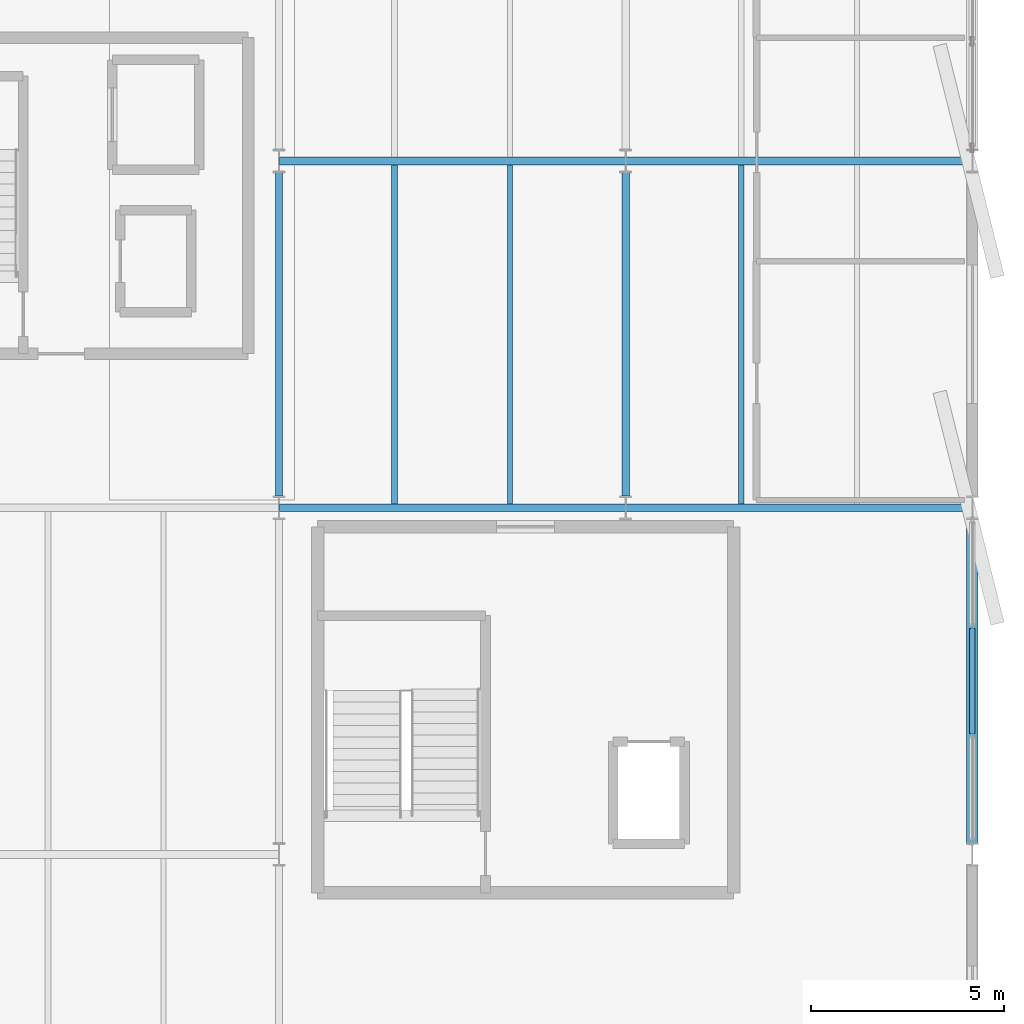
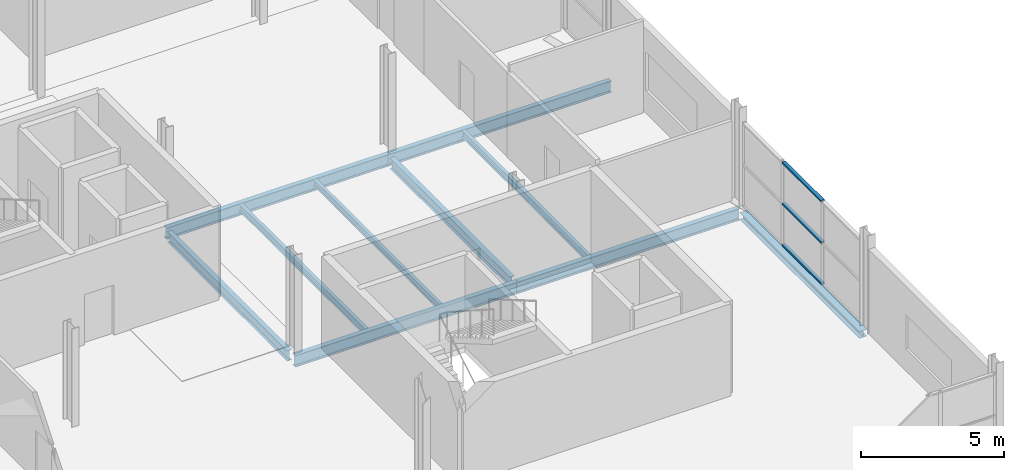
# One storey, part 85 of 135: 10 beams, 3 members, 1 element without a shape of its own.
"""IFC4 building model written with IfcOpenShell, lengths in metres."""

import ifcopenshell
import ifcopenshell.guid

model = None  # the IFC model being written
_history = None  # IfcOwnerHistory: only IFC2X3 demands one
_inside = {}  # id of a spatial element -> (the spatial element, [elements in it])
_under = {}  # id of a project, library or spatial element -> (it, [spatial elements below it])
_declared = {}  # id of a project -> (the project, [libraries it declares])
_typed = {}  # id of a type object -> (the type object, [elements of that type])
_made_of = {}  # id of a material, layer set ... -> (it, [elements and type objects made of it])


def new_model(schema):
    """Start an empty IFC model of exactly this schema.

    Asked for "IFC4X3", IfcOpenShell would pick the latest addendum, in which some entities
    have other attributes; the version numbers below select the first issue.
    IFC2X3 requires an IfcOwnerHistory on every rooted entity: one is made here for all.
    """
    global model, _history
    if schema == "IFC4X3":
        model = ifcopenshell.file(schema_version=(4, 3, 0, 0))
    else:
        model = ifcopenshell.file(schema=schema)
    _inside.clear()
    _under.clear()
    _declared.clear()
    _typed.clear()
    _made_of.clear()
    _history = None
    if model.schema == "IFC2X3":
        org = make("IfcOrganization", Name="unknown")
        user = make(
            "IfcPersonAndOrganization",
            ThePerson=make("IfcPerson", FamilyName="unknown"),
            TheOrganization=org,
        )
        app = make(
            "IfcApplication",
            ApplicationDeveloper=org,
            Version="unknown",
            ApplicationFullName="unknown",
            ApplicationIdentifier="unknown",
        )
        _history = make(
            "IfcOwnerHistory",
            OwningUser=user,
            OwningApplication=app,
            ChangeAction="ADDED",
            CreationDate=0,
        )
    return model


def make(cls, **values):
    """One entity of the class cls with the attributes given. An attribute that is None is left unset."""
    return model.create_entity(
        cls, **{name: value for name, value in values.items() if value is not None}
    )


def rooted(cls, **values):
    """An entity with a GlobalId (a new one), such as an element, a storey or a relation."""
    return make(cls, GlobalId=ifcopenshell.guid.new(), OwnerHistory=_history, **values)


def si_unit(unit_type, name, prefix=None):
    """IfcSIUnit, for example si_unit("LENGTHUNIT", "METRE", prefix="MILLI")."""
    return make("IfcSIUnit", UnitType=unit_type, Prefix=prefix, Name=name)


def assignment(units):
    """IfcUnitAssignment: the units of a project."""
    return None if units is None else make("IfcUnitAssignment", Units=units)


def point(xyz):
    """IfcCartesianPoint."""
    return None if xyz is None else make("IfcCartesianPoint", Coordinates=xyz)


def direction(xyz):
    """IfcDirection."""
    return None if xyz is None else make("IfcDirection", DirectionRatios=xyz)


def frame(location, z_axis=None, x_axis=None):
    """IfcAxis2Placement3D, a coordinate frame: its origin and axes. An axis left out is left unset."""
    return make(
        "IfcAxis2Placement3D",
        Location=point(location),
        Axis=direction(z_axis),
        RefDirection=direction(x_axis),
    )


def frame_2d(location, x_axis=None):
    """IfcAxis2Placement2D, a coordinate frame in the plane: its origin and x axis."""
    return make(
        "IfcAxis2Placement2D", Location=point(location), RefDirection=direction(x_axis)
    )


def origin():
    """The frame at (0, 0, 0) with its axes left unset."""
    return frame((0.0, 0.0, 0.0))


def origin_2d():
    """The frame at (0, 0) in the plane with its x axis left unset."""
    return frame_2d((0.0, 0.0))


def place(relative_to, where):
    """IfcLocalPlacement: puts the frame where relative to a parent placement (None: the world)."""
    return make(
        "IfcLocalPlacement", PlacementRelTo=relative_to, RelativePlacement=where
    )


def context(
    kind, dimensions, precision=None, world=None, true_north=None, identifier=None
):
    """IfcGeometricRepresentationContext, for example the 3D "Model" context."""
    return make(
        "IfcGeometricRepresentationContext",
        ContextIdentifier=identifier,
        ContextType=kind,
        CoordinateSpaceDimension=dimensions,
        Precision=precision,
        WorldCoordinateSystem=world,
        TrueNorth=true_north,
    )


def subcontext(parent, identifier, kind, view, scale=None):
    """IfcGeometricRepresentationSubContext, for example "Body" below "Model"."""
    return make(
        "IfcGeometricRepresentationSubContext",
        ContextIdentifier=identifier,
        ContextType=kind,
        ParentContext=parent,
        TargetScale=scale,
        TargetView=view,
    )


def project(units=None, contexts=None):
    """IfcProject with its units and contexts."""
    return rooted(
        "IfcProject",
        Name="project",
        RepresentationContexts=contexts,
        UnitsInContext=assignment(units),
    )


def spatial(cls, under=None, at=None, **own):
    """A site, building, storey or space (cls), placed at a placement, below another one or the project."""
    s = rooted(cls, ObjectPlacement=at, **own)
    if under is not None:
        _under.setdefault(under.id(), (under, []))[1].append(s)
    return s


def profile(cls, at=None, kind="AREA", **sizes):
    """A parametric profile (cls). Its sizes go by their IFC names, for example OverallWidth=200.0."""
    return make(cls, ProfileType=kind, Position=at, **sizes)


def hollow_rectangle(**sizes):
    """IfcRectangleHollowProfileDef."""
    return profile("IfcRectangleHollowProfileDef", **sizes)


def i_section(**sizes):
    """IfcIShapeProfileDef."""
    return profile("IfcIShapeProfileDef", **sizes)


def extrude(swept, where, along, depth):
    """IfcExtrudedAreaSolid: the profile swept, set in the frame where, extruded along a direction by depth."""
    return make(
        "IfcExtrudedAreaSolid",
        SweptArea=swept,
        Position=where,
        ExtrudedDirection=direction(along),
        Depth=depth,
    )


def shape(context_of_items, identifier, shape_type, items):
    """IfcShapeRepresentation: the items that make up one representation, for example the "Body"."""
    return make(
        "IfcShapeRepresentation",
        ContextOfItems=context_of_items,
        RepresentationIdentifier=identifier,
        RepresentationType=shape_type,
        Items=items,
    )


def material(Name=None, Category=None):
    """IfcMaterial."""
    return make("IfcMaterial", Name=Name, Category=Category)


def layer(
    of_material, thickness, ventilated=None, Name=None, Category=None, Priority=None
):
    """IfcMaterialLayer: one layer of a wall or slab, of a material (None: an air gap)."""
    return make(
        "IfcMaterialLayer",
        Material=of_material,
        LayerThickness=thickness,
        IsVentilated=ventilated,
        Name=Name,
        Category=Category,
        Priority=Priority,
    )


def layer_set(layers, Name=None):
    """IfcMaterialLayerSet."""
    return make("IfcMaterialLayerSet", MaterialLayers=layers, LayerSetName=Name)


def material_profile(
    of_material, cross_section, Name=None, Category=None, Priority=None
):
    """IfcMaterialProfile: a cross section and its material."""
    return make(
        "IfcMaterialProfile",
        Name=Name,
        Material=of_material,
        Profile=cross_section,
        Priority=Priority,
        Category=Category,
    )


def profile_set(profiles, Name=None, composite=None):
    """IfcMaterialProfileSet."""
    return make(
        "IfcMaterialProfileSet",
        Name=Name,
        MaterialProfiles=profiles,
        CompositeProfile=composite,
    )


def made_of(thing, what):
    """Note that an element or type object is made of a material, layer set ...; save() writes the relation."""
    if what is not None:
        _made_of.setdefault(what.id(), (what, []))[1].append(thing)
    return thing


def type_object(cls, material=None, **own):
    """A type object (cls), such as IfcWallType, which elements share."""
    return made_of(rooted(cls, **own), material)


def element(
    cls,
    number,
    at=None,
    inside=None,
    cuts=None,
    type_object=None,
    material=None,
    context=None,
    identifier="Body",
    shape_type=None,
    held_by="IfcProductDefinitionShape",
    body=None,
    shapes=None,
    **own,
):
    """One element of the class cls, such as IfcWall. Its Tag is "e" and its number.

    at: its placement. inside: the storey or other place that contains it. cuts: it is an
    opening in that element (IfcRelVoidsElement). A single representation is given by context,
    identifier, shape_type and body (its items); several are given by shapes. held_by: the class
    of the entity that holds the representations. save() writes the other relations.
    """
    e = rooted(cls, Tag="e%d" % number, ObjectPlacement=at, **own)
    if body is not None:
        shapes = [shape(context, identifier, shape_type, body)]
    if shapes is not None:
        e.Representation = make(held_by, Representations=shapes)
    if inside is not None:
        _inside.setdefault(inside.id(), (inside, []))[1].append(e)
    if cuts is not None:
        rooted(
            "IfcRelVoidsElement", RelatingBuildingElement=cuts, RelatedOpeningElement=e
        )
    if type_object is not None:
        _typed.setdefault(type_object.id(), (type_object, []))[1].append(e)
    return made_of(e, material)


def aggregate(whole, parts):
    """IfcRelAggregates: a whole, such as a stair, and the parts it consists of."""
    return rooted("IfcRelAggregates", RelatingObject=whole, RelatedObjects=parts)


def save(model, path):
    """Write the relations noted so far, then the file.

    IfcRelAggregates (storeys below a building ...), IfcRelContainedInSpatialStructure (elements
    in a storey), IfcRelDefinesByType, IfcRelAssociatesMaterial and IfcRelDeclares: one each for
    every whole, place, type object, material and project.
    """
    for whole, parts in _under.values():
        aggregate(whole, parts)
    for where, things in _inside.values():
        rooted(
            "IfcRelContainedInSpatialStructure",
            RelatedElements=things,
            RelatingStructure=where,
        )
    for kind, things in _typed.values():
        rooted("IfcRelDefinesByType", RelatedObjects=things, RelatingType=kind)
    for what, things in _made_of.values():
        rooted("IfcRelAssociatesMaterial", RelatedObjects=things, RelatingMaterial=what)
    for by, libraries in _declared.values():
        rooted("IfcRelDeclares", RelatingContext=by, RelatedDefinitions=libraries)
    model.write(path)


model = new_model("IFC4")

# Units and contexts
model_context = context("Model", 3, precision=1e-05, world=origin(), true_north=direction((0.0, 1.0)))
body_context = subcontext(model_context, "Body", "Model", "MODEL_VIEW")
ifc_project = project(units=[si_unit("LENGTHUNIT", "METRE"), si_unit("AREAUNIT", "SQUARE_METRE"), si_unit("VOLUMEUNIT", "CUBIC_METRE"), si_unit("PLANEANGLEUNIT", "RADIAN"), si_unit("MASSUNIT", "GRAM", prefix="KILO")], contexts=[model_context])

# Site, building, storey
site_placement = place(None, origin())
site = spatial("IfcSite", under=ifc_project, at=site_placement, CompositionType="ELEMENT")
building_placement = place(site_placement, origin())
building = spatial("IfcBuilding", under=site, at=building_placement, Name="Deido Ridge Mobility Hub", CompositionType="ELEMENT")
storey_placement = place(building_placement, frame((0.0, 0.0, 4.199951171875)))
storey = spatial("IfcBuildingStorey", under=building, at=storey_placement, Name="L01", CompositionType="ELEMENT", Elevation=4.199951171875)

# Beams
ifc_material_1 = material(Name="Steel S355J2 EN 10025-2", Category="steel")
ifc_material_profile_1 = material_profile(ifc_material_1, i_section(OverallWidth=0.18994140625, OverallDepth=0.449951171875, WebThickness=0.009521484375, FlangeThickness=0.0146484375, FilletRadius=0.02099609375, at=origin_2d()), Name="IPE 450")
ifc_profile_set_1 = profile_set([ifc_material_profile_1], Name="Steel S355J2 EN 10025-2")
beam_type_1 = type_object("IfcBeamType", Name="BM-IPE450", PredefinedType="BEAM", material=ifc_profile_set_1)
for number, where, z_axis, x_axis, name in (
    (1, (162.0, 18.300048828125, -0.474853515625), (0.0, 1.0, 0.0), (-1.0, 0.0, 0.0), "Floor beam B4"),
    (2, (171.0, 18.300048828125, -0.474853515625), (0.0, 1.0, 0.0), (-1.0, 0.0, 0.0), "Floor beam B4"),
):
    element("IfcBeam", number, at=place(storey_placement, frame(where, z_axis=z_axis, x_axis=x_axis)), inside=storey, type_object=beam_type_1, Name=name, PredefinedType="BEAM", context=body_context, shape_type="SweptSolid", body=[
        extrude(i_section(OverallWidth=0.18994140625, OverallDepth=0.449951171875, WebThickness=0.009521484375, FlangeThickness=0.0146484375, FilletRadius=0.02099609375, at=origin_2d()), origin(), (0.0, 0.0, 1.0), 8.39990234375),
    ])
ifc_material_profile_2 = material_profile(ifc_material_1, i_section(OverallWidth=0.199951171875, OverallDepth=0.5, WebThickness=0.01025390625, FlangeThickness=0.01611328125, FilletRadius=0.02099609375, at=origin_2d()), Name="IPE 500")
ifc_profile_set_2 = profile_set([ifc_material_profile_2], Name="Steel S355J2 EN 10025-2")
beam_type_2 = type_object("IfcBeamType", Name="BM-IPE500", PredefinedType="BEAM", material=ifc_profile_set_2)
for number, where, z_axis, x_axis, name in (
    (3, (162.0078125, 18.0, -0.5), (1.0, 0.0, 0.0), (0.0, 1.0, 0.0), "Floor beam B3"),
    (4, (171.0078125, 18.0, -0.5), (1.0, 0.0, 0.0), (0.0, 1.0, 0.0), "Floor beam B3"),
    (5, (162.0078125, 27.0, -0.5), (1.0, 0.0, 0.0), (0.0, 1.0, 0.0), "Floor beam B3"),
    (6, (171.0078125, 27.0, -0.5), (1.0, 0.0, 0.0), (0.0, 1.0, 0.0), "Floor beam B3"),
):
    element("IfcBeam", number, at=place(storey_placement, frame(where, z_axis=z_axis, x_axis=x_axis)), inside=storey, type_object=beam_type_2, Name=name, PredefinedType="BEAM", context=body_context, shape_type="SweptSolid", body=[
        extrude(i_section(OverallWidth=0.199951171875, OverallDepth=0.5, WebThickness=0.01025390625, FlangeThickness=0.01611328125, FilletRadius=0.02099609375, at=origin_2d()), origin(), (0.0, 0.0, 1.0), 8.984375),
    ])
ifc_material_profile_3 = material_profile(ifc_material_1, i_section(OverallWidth=0.135009765625, OverallDepth=0.27001953125, WebThickness=0.006591796875, FlangeThickness=0.01025390625, FilletRadius=0.014892578125, at=origin_2d()), Name="IPE 270")
ifc_profile_set_3 = profile_set([ifc_material_profile_3], Name="Steel S355J2 EN 10025-2")
beam_type_3 = type_object("IfcBeamType", Name="JST-IPE270", PredefinedType="JOIST", material=ifc_profile_set_3)
beam_1_placement = place(storey_placement, frame((168.0, 18.10009765625, -0.385009765625), z_axis=(0.0, 1.0, 0.0), x_axis=(-1.0, 0.0, 0.0)))
element("IfcBeam", 7, at=beam_1_placement, inside=storey, type_object=beam_type_3, Name="Composite joist J4", PredefinedType="JOIST", context=body_context, shape_type="SweptSolid", body=[
    extrude(i_section(OverallWidth=0.135009765625, OverallDepth=0.27001953125, WebThickness=0.006591796875, FlangeThickness=0.01025390625, FilletRadius=0.014892578125, at=origin_2d()), origin(), (0.0, 0.0, 1.0), 8.7998046875),
])
ifc_material_profile_4 = material_profile(ifc_material_1, i_section(OverallWidth=0.14990234375, OverallDepth=0.300048828125, WebThickness=0.007080078125, FlangeThickness=0.0107421875, FilletRadius=0.014892578125, at=origin_2d()), Name="IPE 300")
ifc_profile_set_4 = profile_set([ifc_material_profile_4], Name="Steel S355J2 EN 10025-2")
beam_type_4 = type_object("IfcBeamType", Name="JST-IPE300", PredefinedType="JOIST", material=ifc_profile_set_4)
for number, where, z_axis, x_axis, name in (
    (8, (165.0, 18.10009765625, -0.39990234375), (0.0, 1.0, 0.0), (-1.0, 0.0, 0.0), "Composite joist J3"),
    (9, (174.0, 18.10009765625, -0.39990234375), (0.0, 1.0, 0.0), (-1.0, 0.0, 0.0), "Composite joist J3"),
):
    element("IfcBeam", number, at=place(storey_placement, frame(where, z_axis=z_axis, x_axis=x_axis)), inside=storey, type_object=beam_type_4, Name=name, PredefinedType="JOIST", context=body_context, shape_type="SweptSolid", body=[
        extrude(i_section(OverallWidth=0.14990234375, OverallDepth=0.300048828125, WebThickness=0.007080078125, FlangeThickness=0.0107421875, FilletRadius=0.014892578125, at=origin_2d()), origin(), (0.0, 0.0, 1.0), 8.7998046875),
    ])

# Curtain wall, members
ifc_material_2 = material(Name="Anodised aluminium EN AW-6063 T6", Category="aluminium")
ifc_layer = layer(ifc_material_2, 0.22509765625, Name="Anodised aluminium EN AW-6063 T6")
ifc_layer_set = layer_set([ifc_layer], Name="Anodised aluminium EN AW-6063 T6")
curtain_wall_type = type_object("IfcCurtainWallType", Name="CW-UF-5", PredefinedType="USERDEFINED", material=ifc_layer_set)
curtain_wall_placement = place(storey_placement, origin())
curtain_wall = element("IfcCurtainWall", 10, at=curtain_wall_placement, inside=storey, type_object=curtain_wall_type, Name="Unitised curtain wall CW5", ObjectType="UNITISED FACADE", PredefinedType="USERDEFINED")
ifc_material_profile_5 = material_profile(ifc_material_2, hollow_rectangle(XDim=0.14501953125, YDim=0.070068359375, WallThickness=0.00390625, at=origin_2d()), Name="RHS 145x70x4")
ifc_profile_set_5 = profile_set([ifc_material_profile_5], Name="Anodised aluminium EN AW-6063 T6")
member_type = type_object("IfcMemberType", Name="MEM-TRN-145X70", PredefinedType="USERDEFINED", material=ifc_profile_set_5)
member_1_placement = place(storey_placement, frame((180.0, 12.135009765625, 0.03515625), z_axis=(0.0, 1.0, 0.0), x_axis=(-1.0, 0.0, 0.0)))
member_1 = element("IfcMember", 11, at=member_1_placement, type_object=member_type, Name="CW5 transom 2.1", ObjectType="TRANSOM", PredefinedType="USERDEFINED", context=body_context, shape_type="SweptSolid", body=[
    extrude(hollow_rectangle(XDim=0.14501953125, YDim=0.070068359375, WallThickness=0.00390625, at=origin_2d()), origin(), (0.0, 0.0, 1.0), 2.72998046875),
])
member_2_placement = place(storey_placement, frame((180.0, 12.135009765625, 1.800048828125), z_axis=(0.0, 1.0, 0.0), x_axis=(-1.0, 0.0, 0.0)))
member_2 = element("IfcMember", 12, at=member_2_placement, type_object=member_type, Name="CW5 transom 2.2", ObjectType="TRANSOM", PredefinedType="USERDEFINED", context=body_context, shape_type="SweptSolid", body=[
    extrude(hollow_rectangle(XDim=0.14501953125, YDim=0.070068359375, WallThickness=0.00390625, at=origin_2d()), origin(), (0.0, 0.0, 1.0), 2.72998046875),
])
member_3_placement = place(storey_placement, frame((180.0, 12.135009765625, 3.56494140625), z_axis=(0.0, 1.0, 0.0), x_axis=(-1.0, 0.0, 0.0)))
member_3 = element("IfcMember", 13, at=member_3_placement, type_object=member_type, Name="CW5 transom 2.3", ObjectType="TRANSOM", PredefinedType="USERDEFINED", context=body_context, shape_type="SweptSolid", body=[
    extrude(hollow_rectangle(XDim=0.14501953125, YDim=0.070068359375, WallThickness=0.00390625, at=origin_2d()), origin(), (0.0, 0.0, 1.0), 2.72998046875),
])
aggregate(curtain_wall, [member_1, member_2, member_3])

# Beam
ifc_material_profile_6 = material_profile(ifc_material_1, i_section(OverallWidth=0.300048828125, OverallDepth=0.300048828125, WebThickness=0.010986328125, FlangeThickness=0.01904296875, FilletRadius=0.027099609375, at=origin_2d()), Name="HEB 300")
ifc_profile_set_6 = profile_set([ifc_material_profile_6], Name="Steel S355J2 EN 10025-2")
beam_type_5 = type_object("IfcBeamType", Name="SPD-HEB300", PredefinedType="SPANDREL", material=ifc_profile_set_6)
beam_2_placement = place(storey_placement, frame((180.0, 9.300048828125, -0.39990234375), z_axis=(0.0, 1.0, 0.0), x_axis=(-1.0, 0.0, 0.0)))
element("IfcBeam", 14, at=beam_2_placement, inside=storey, type_object=beam_type_5, Name="Floor beam SP1", PredefinedType="SPANDREL", context=body_context, shape_type="SweptSolid", body=[
    extrude(i_section(OverallWidth=0.300048828125, OverallDepth=0.300048828125, WebThickness=0.010986328125, FlangeThickness=0.01904296875, FilletRadius=0.027099609375, at=origin_2d()), origin(), (0.0, 0.0, 1.0), 8.39990234375),
])

save(model, "model.ifc")
